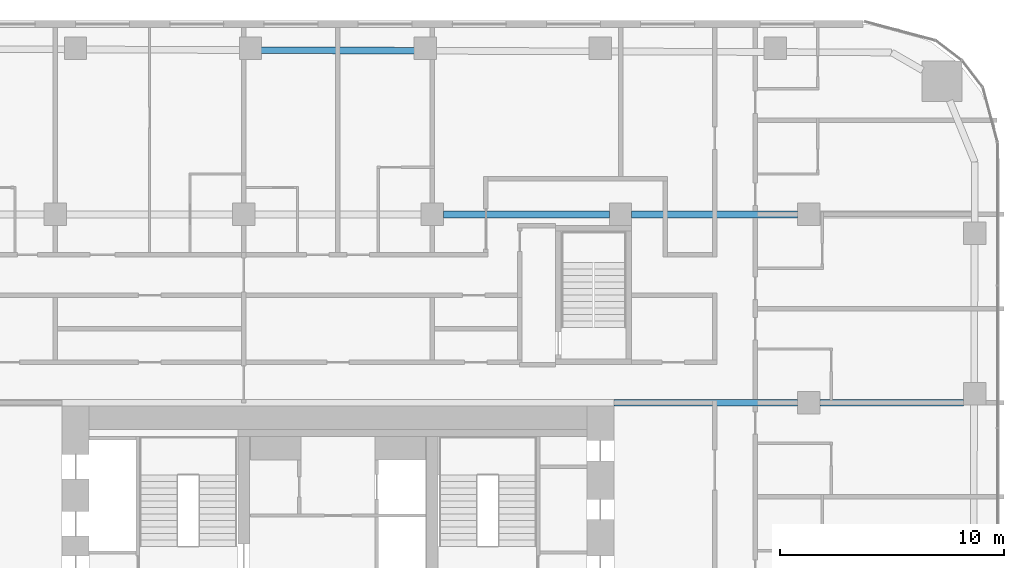
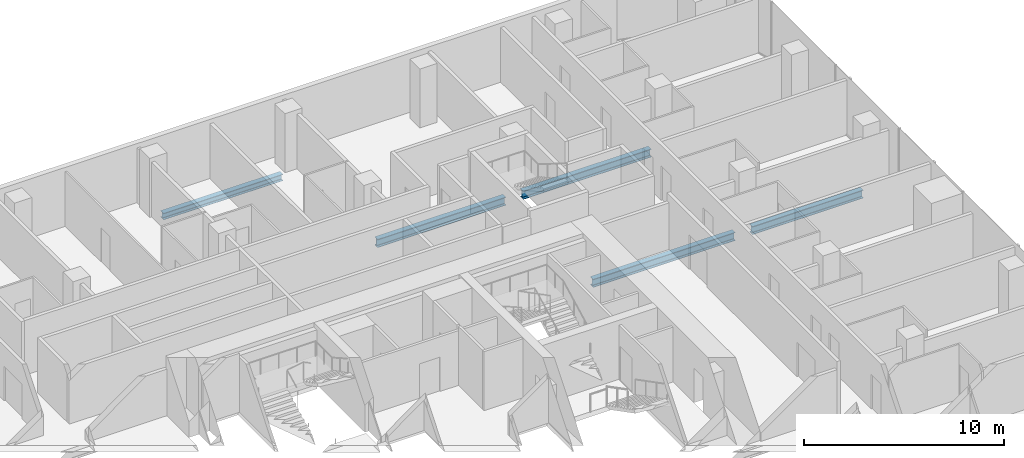
# One storey, part 11 of 26: 5 beams.
"""IFC4 building model written with IfcOpenShell, lengths in metres."""

from ifc_helpers import new_model, si_unit, direction, frame, origin, origin_2d, place, context, subcontext, project, spatial, i_section, extrude, material, material_profile, profile_set, type_object, element, save


model = new_model("IFC4")

# Units and contexts
model_context = context("Model", 3, precision=1e-05, world=origin(), true_north=direction((0.0, 1.0)))
body_context = subcontext(model_context, "Body", "Model", "MODEL_VIEW")
ifc_project = project(units=[si_unit("LENGTHUNIT", "METRE"), si_unit("AREAUNIT", "SQUARE_METRE"), si_unit("VOLUMEUNIT", "CUBIC_METRE"), si_unit("PLANEANGLEUNIT", "RADIAN"), si_unit("MASSUNIT", "GRAM", prefix="KILO")], contexts=[model_context])

# Site, building, storey
site_placement = place(None, origin())
site = spatial("IfcSite", under=ifc_project, at=site_placement, CompositionType="ELEMENT")
building_placement = place(site_placement, origin())
building = spatial("IfcBuilding", under=site, at=building_placement, Name="Marenta Gate Hotel Tower", CompositionType="ELEMENT")
storey_placement = place(building_placement, frame((0.0, 0.0, 79.699951171875)))
storey = spatial("IfcBuildingStorey", under=building, at=storey_placement, Name="L18", CompositionType="ELEMENT", Elevation=79.699951171875)

# Beams
ifc_material_1 = material(Name="Steel S355", Category="steel")
ifc_material_profile_1 = material_profile(ifc_material_1, i_section(OverallWidth=0.300048828125, OverallDepth=0.39990234375, WebThickness=0.013427734375, FlangeThickness=0.02392578125, FilletRadius=0.027099609375, at=origin_2d()), Name="HEB 400")
ifc_profile_set_1 = profile_set([ifc_material_profile_1], Name="Steel S355")
beam_type_1 = type_object("IfcBeamType", Name="Edge beam HEB 400", PredefinedType="SPANDREL", material=ifc_profile_set_1)
beam_1_placement = place(storey_placement, frame((-3.44140625, 32.52587890625, -0.4599609375), z_axis=(0.999993195747, -0.003688964684, 0.0), x_axis=(0.003688964684, 0.999993195747, 0.0)))
element("IfcBeam", 1, at=beam_1_placement, inside=storey, type_object=beam_type_1, Name="L18-EB-16", PredefinedType="SPANDREL", context=body_context, shape_type="SweptSolid", body=[
    extrude(i_section(OverallWidth=0.300048828125, OverallDepth=0.39990234375, WebThickness=0.013427734375, FlangeThickness=0.02392578125, FilletRadius=0.027099609375, at=origin_2d()), origin(), (0.0, 0.0, 1.0), 6.8828125),
])
ifc_material_2 = material(Name="Steel S355", Category="steel")
ifc_material_profile_2 = material_profile(ifc_material_2, i_section(OverallWidth=0.300048828125, OverallDepth=0.5, WebThickness=0.014404296875, FlangeThickness=0.028076171875, FilletRadius=0.027099609375, at=origin_2d()), Name="HEB 500")
ifc_profile_set_2 = profile_set([ifc_material_profile_2], Name="Steel S355")
beam_type_2 = type_object("IfcBeamType", Name="Girder HEB 500", PredefinedType="BEAM", material=ifc_profile_set_2)
beam_2_placement = place(storey_placement, frame((12.300048828125, 16.800048828125, -0.510009765625), z_axis=(1.0, 0.0, 0.0), x_axis=(0.0, 1.0, 0.0)))
element("IfcBeam", 2, at=beam_2_placement, inside=storey, type_object=beam_type_2, Name="L18-GD-20", PredefinedType="BEAM", context=body_context, shape_type="SweptSolid", body=[
    extrude(i_section(OverallWidth=0.300048828125, OverallDepth=0.5, WebThickness=0.014404296875, FlangeThickness=0.028076171875, FilletRadius=0.027099609375, at=origin_2d()), origin(), (0.0, 0.0, 1.0), 8.199951171875),
])
beam_3_placement = place(storey_placement, frame((21.5, 16.800048828125, -0.510009765625), z_axis=(1.0, 0.0, 0.0), x_axis=(0.0, 1.0, 0.0)))
element("IfcBeam", 3, at=beam_3_placement, inside=storey, type_object=beam_type_2, Name="L18-GD-21", PredefinedType="BEAM", context=body_context, shape_type="SweptSolid", body=[
    extrude(i_section(OverallWidth=0.300048828125, OverallDepth=0.5, WebThickness=0.014404296875, FlangeThickness=0.028076171875, FilletRadius=0.027099609375, at=origin_2d()), origin(), (0.0, 0.0, 1.0), 6.39990234375),
])
beam_4_placement = place(storey_placement, frame((4.699951171875, 25.199951171875, -0.510009765625), z_axis=(1.0, 0.0, 0.0), x_axis=(0.0, 1.0, 0.0)))
element("IfcBeam", 4, at=beam_4_placement, inside=storey, type_object=beam_type_2, Name="L18-GD-26", PredefinedType="BEAM", context=body_context, shape_type="SweptSolid", body=[
    extrude(i_section(OverallWidth=0.300048828125, OverallDepth=0.5, WebThickness=0.014404296875, FlangeThickness=0.028076171875, FilletRadius=0.027099609375, at=origin_2d()), origin(), (0.0, 0.0, 1.0), 7.400146484375),
])
beam_5_placement = place(storey_placement, frame((13.10009765625, 25.199951171875, -0.510009765625), z_axis=(1.0, 0.0, 0.0), x_axis=(0.0, 1.0, 0.0)))
element("IfcBeam", 5, at=beam_5_placement, inside=storey, type_object=beam_type_2, Name="L18-GD-27", PredefinedType="BEAM", context=body_context, shape_type="SweptSolid", body=[
    extrude(i_section(OverallWidth=0.300048828125, OverallDepth=0.5, WebThickness=0.014404296875, FlangeThickness=0.028076171875, FilletRadius=0.027099609375, at=origin_2d()), origin(), (0.0, 0.0, 1.0), 7.39990234375),
])

save(model, "model.ifc")
